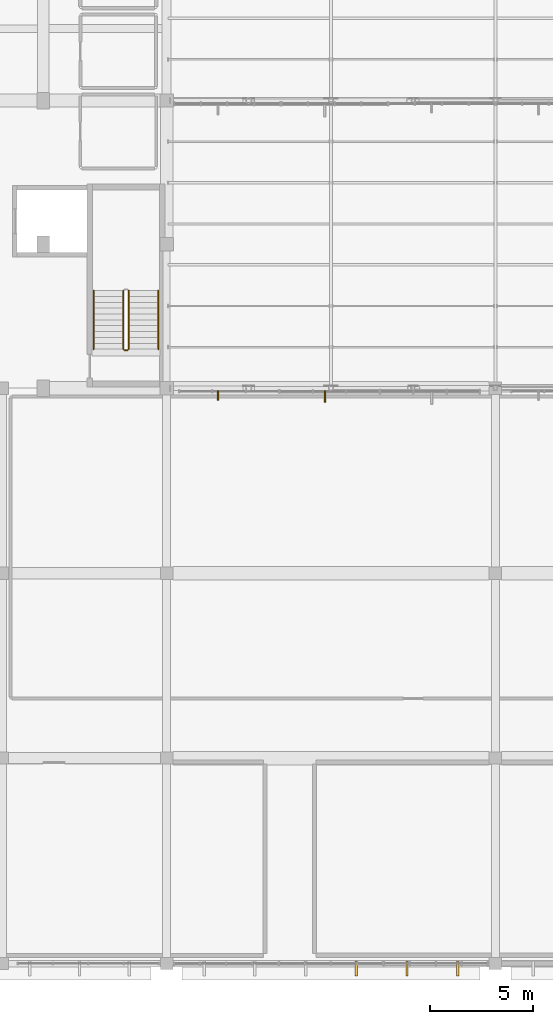
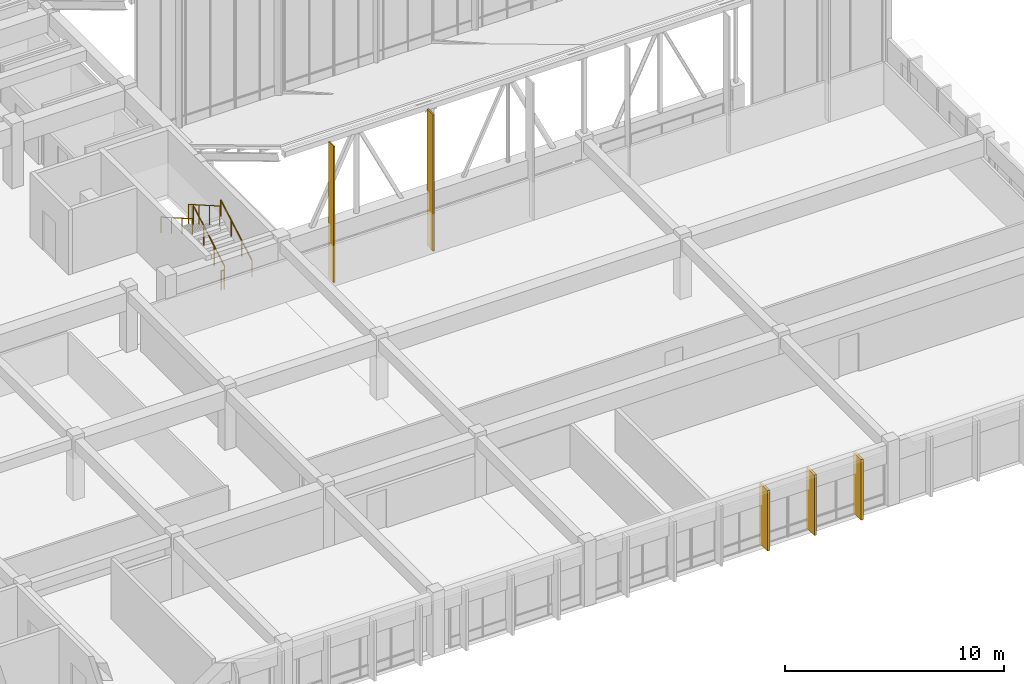
# One storey, part 146 of 155: 5 railings, 3 coverings, 2 shading devices.
"""IFC4 building model written with IfcOpenShell, lengths in metres."""

from ifc_helpers import new_model, si_unit, direction, frame, origin, origin_2d, place, context, subcontext, project, spatial, rectangle, circle, extrude, material, layer, layer_set, type_object, element, save


model = new_model("IFC4")

# Units and contexts
model_context = context("Model", 3, precision=1e-05, world=origin(), true_north=direction((0.0, 1.0)))
body_context = subcontext(model_context, "Body", "Model", "MODEL_VIEW")
ifc_project = project(units=[si_unit("LENGTHUNIT", "METRE"), si_unit("AREAUNIT", "SQUARE_METRE"), si_unit("VOLUMEUNIT", "CUBIC_METRE"), si_unit("PLANEANGLEUNIT", "RADIAN"), si_unit("MASSUNIT", "GRAM", prefix="KILO")], contexts=[model_context])

# Site, building, storey
site_placement = place(None, origin())
site = spatial("IfcSite", under=ifc_project, at=site_placement, CompositionType="ELEMENT")
building_placement = place(site_placement, origin())
building = spatial("IfcBuilding", under=site, at=building_placement, Name="Larkveld Mobility Hub", CompositionType="ELEMENT")
storey_placement = place(building_placement, frame((0.0, 0.0, 8.39990234375)))
storey = spatial("IfcBuildingStorey", under=building, at=storey_placement, Name="L02", CompositionType="ELEMENT", Elevation=8.39990234375)

# Coverings
ifc_material_1 = material(Name="Precast concrete C50/60", Category="concrete")
ifc_layer_1 = layer(ifc_material_1, 0.1201171875, Name="Precast concrete C50/60", Category="concrete")
ifc_layer_set_1 = layer_set([ifc_layer_1], Name="Precast concrete C50/60")
covering_type = type_object("IfcCoveringType", Name="COV-QSL-V01", PredefinedType="CLADDING", material=ifc_layer_set_1)
for number, where, z_axis, x_axis, name in (
    (1, (161.23291015625, -0.239990234375, -0.019287109375), (0.0, 0.0, 1.0), (1.0, 0.0, 0.0), "Precast Quebra-Sol Vertical Fin QSV-267"),
    (2, (163.699951171875, -0.239990234375, -0.019287109375), (0.0, 0.0, 1.0), (1.0, 0.0, 0.0), "Precast Quebra-Sol Vertical Fin QSV-268"),
    (3, (166.1669921875, -0.239990234375, -0.019287109375), (0.0, 0.0, 1.0), (1.0, 0.0, 0.0), "Precast Quebra-Sol Vertical Fin QSV-269"),
):
    element("IfcCovering", number, at=place(storey_placement, frame(where, z_axis=z_axis, x_axis=x_axis)), inside=storey, type_object=covering_type, Name=name, PredefinedType="CLADDING", context=body_context, shape_type="SweptSolid", body=[
        extrude(rectangle(XDim=0.1201171875, YDim=0.719970703125, at=origin_2d()), origin(), (0.0, 0.0, 1.0), 3.375),
    ])

# Railings
ifc_material_2 = material(Name="Galvanized Steel S355JR balustrade", Category="steel")
railing_type_1 = type_object("IfcRailingType", Name="RL-GRD-1100", PredefinedType="GUARDRAIL", material=ifc_material_2)
railing_1_placement = place(storey_placement, frame((150.14990234375, 29.89990234375, 0.163818359375)))
element("IfcRailing", 4, at=railing_1_placement, inside=storey, type_object=railing_type_1, Name="L02 ST1 stair guard 1", PredefinedType="GUARDRAIL", context=body_context, shape_type="SweptSolid", body=[
    extrude(circle(Radius=0.02392578125, at=origin_2d()), frame((0.0, 0.0, 1.076171875), z_axis=(0.0, 0.867244780686, 0.497882004468), x_axis=(-1.0, 0.0, 0.0)), (0.0, 0.0, 1.0), 3.286376953125),
    extrude(circle(Radius=0.02099609375, at=origin_2d()), origin(), (0.0, 0.0, 1.0), 1.052001953125),
    extrude(circle(Radius=0.02099609375, at=origin_2d()), frame((0.0, 0.949951171875, 0.54541015625)), (0.0, 0.0, 1.0), 1.052001953125),
    extrude(circle(Radius=0.02099609375, at=origin_2d()), frame((0.0, 1.900146484375, 1.0908203125)), (0.0, 0.0, 1.0), 1.052001953125),
    extrude(circle(Radius=0.02099609375, at=origin_2d()), frame((0.0, 2.85009765625, 1.63623046875)), (0.0, 0.0, 1.0), 1.052001953125),
])
railing_2_placement = place(storey_placement, frame((149.89990234375, 32.75, 1.963623046875)))
element("IfcRailing", 5, at=railing_2_placement, inside=storey, type_object=railing_type_1, Name="L02 ST1 stair guard 3", PredefinedType="GUARDRAIL", context=body_context, shape_type="SweptSolid", body=[
    extrude(circle(Radius=0.02392578125, at=origin_2d()), frame((0.0, 0.0, 1.076171875), z_axis=(0.0, -0.86721270334, 0.497937874806), x_axis=(1.0, 0.0, 0.0)), (0.0, 0.0, 1.0), 3.28662109375),
    extrude(circle(Radius=0.02099609375, at=origin_2d()), origin(), (0.0, 0.0, 1.0), 1.052001953125),
    extrude(circle(Radius=0.02099609375, at=origin_2d()), frame((0.0, -0.949951171875, 0.54541015625)), (0.0, 0.0, 1.0), 1.052001953125),
    extrude(circle(Radius=0.02099609375, at=origin_2d()), frame((0.0, -1.900146484375, 1.091064453125)), (0.0, 0.0, 1.0), 1.052001953125),
    extrude(circle(Radius=0.02099609375, at=origin_2d()), frame((0.0, -2.85009765625, 1.636474609375)), (0.0, 0.0, 1.0), 1.052001953125),
])
railing_3_placement = place(storey_placement, frame((150.10009765625, 29.85009765625, 0.0)))
element("IfcRailing", 6, at=railing_3_placement, inside=storey, type_object=railing_type_1, Name="L02 ST1 stair guard 4", PredefinedType="GUARDRAIL", context=body_context, shape_type="SweptSolid", body=[
    extrude(circle(Radius=0.02392578125, at=origin_2d()), frame((0.0, 0.0, 1.076171875), z_axis=(-1.0, 0.0, 0.0), x_axis=(0.0, -1.0, 0.0)), (0.0, 0.0, 1.0), 0.150146484375),
    extrude(circle(Radius=0.02099609375, at=origin_2d()), origin(), (0.0, 0.0, 1.0), 1.052001953125),
    extrude(circle(Radius=0.02099609375, at=origin_2d()), frame((-0.150146484375, 0.0, 0.0)), (0.0, 0.0, 1.0), 1.052001953125),
])
ifc_material_3 = material(Name="Brushed Steel S355JR tubular handrail", Category="steel")
railing_type_2 = type_object("IfcRailingType", Name="RL-HND-0900", PredefinedType="HANDRAIL", material=ifc_material_3)
railing_4_placement = place(storey_placement, frame((151.60009765625, 29.89990234375, 0.163818359375)))
element("IfcRailing", 7, at=railing_4_placement, inside=storey, type_object=railing_type_2, Name="L02 ST1 stair handrail 1", PredefinedType="HANDRAIL", context=body_context, shape_type="SweptSolid", body=[
    extrude(circle(Radius=0.02392578125, at=origin_2d()), frame((0.0, 0.0, 0.8759765625), z_axis=(0.0, 0.867244780686, 0.497882004468), x_axis=(-1.0, 0.0, 0.0)), (0.0, 0.0, 1.0), 3.286376953125),
    extrude(circle(Radius=0.02099609375, at=origin_2d()), origin(), (0.0, 0.0, 1.0), 0.851806640625),
    extrude(circle(Radius=0.02099609375, at=origin_2d()), frame((0.0, 0.949951171875, 0.54541015625)), (0.0, 0.0, 1.0), 0.851806640625),
    extrude(circle(Radius=0.02099609375, at=origin_2d()), frame((0.0, 1.900146484375, 1.0908203125)), (0.0, 0.0, 1.0), 0.851806640625),
    extrude(circle(Radius=0.02099609375, at=origin_2d()), frame((0.0, 2.85009765625, 1.63623046875)), (0.0, 0.0, 1.0), 0.851806640625),
])
railing_5_placement = place(storey_placement, frame((148.449951171875, 32.75, 1.963623046875)))
element("IfcRailing", 8, at=railing_5_placement, inside=storey, type_object=railing_type_2, Name="L02 ST1 stair handrail 2", PredefinedType="HANDRAIL", context=body_context, shape_type="SweptSolid", body=[
    extrude(circle(Radius=0.02392578125, at=origin_2d()), frame((0.0, 0.0, 0.8759765625), z_axis=(0.0, -0.86721270334, 0.497937874806), x_axis=(1.0, 0.0, 0.0)), (0.0, 0.0, 1.0), 3.28662109375),
    extrude(circle(Radius=0.02099609375, at=origin_2d()), origin(), (0.0, 0.0, 1.0), 0.851806640625),
    extrude(circle(Radius=0.02099609375, at=origin_2d()), frame((0.0, -0.949951171875, 0.54541015625)), (0.0, 0.0, 1.0), 0.851806640625),
    extrude(circle(Radius=0.02099609375, at=origin_2d()), frame((0.0, -1.900146484375, 1.091064453125)), (0.0, 0.0, 1.0), 0.851806640625),
    extrude(circle(Radius=0.02099609375, at=origin_2d()), frame((0.0, -2.85009765625, 1.636474609375)), (0.0, 0.0, 1.0), 0.851806640625),
])

# Shading devices
ifc_layer_2 = layer(ifc_material_1, 0.06494140625, Name="Precast concrete C50/60", Category="concrete")
ifc_layer_set_2 = layer_set([ifc_layer_2], Name="Precast concrete C50/60")
shading_device_type_1 = type_object("IfcShadingDeviceType", Name="SHD-JAL-01", PredefinedType="JALOUSIE", material=ifc_layer_set_2)
shading_device_1_placement = place(storey_placement, frame((154.5, 27.639892578125, 0.300048828125), z_axis=(0.0, 0.0, 1.0), x_axis=(1.0, 0.0, 0.0)))
element("IfcShadingDevice", 9, at=shading_device_1_placement, inside=storey, type_object=shading_device_type_1, Name="Sawtooth South-Light Brise-Soleil Fin SF-001", PredefinedType="JALOUSIE", context=body_context, shape_type="SweptSolid", body=[
    extrude(rectangle(XDim=0.06494140625, YDim=0.449951171875, at=origin_2d()), origin(), (0.0, 0.0, 1.0), 7.60009765625),
])
ifc_layer_3 = layer(ifc_material_1, 0.074951171875, Name="Precast concrete C50/60", Category="concrete")
ifc_layer_set_3 = layer_set([ifc_layer_3], Name="Precast concrete C50/60")
shading_device_type_2 = type_object("IfcShadingDeviceType", Name="SHD-JAL-02", PredefinedType="JALOUSIE", material=ifc_layer_set_3)
shading_device_2_placement = place(storey_placement, frame((159.699951171875, 27.590087890625, 0.300048828125), z_axis=(0.0, 0.0, 1.0), x_axis=(1.0, 0.0, 0.0)))
element("IfcShadingDevice", 10, at=shading_device_2_placement, inside=storey, type_object=shading_device_type_2, Name="Sawtooth South-Light Brise-Soleil Fin SF-002", PredefinedType="JALOUSIE", context=body_context, shape_type="SweptSolid", body=[
    extrude(rectangle(XDim=0.074951171875, YDim=0.550048828125, at=origin_2d()), origin(), (0.0, 0.0, 1.0), 7.60009765625),
])

save(model, "model.ifc")
